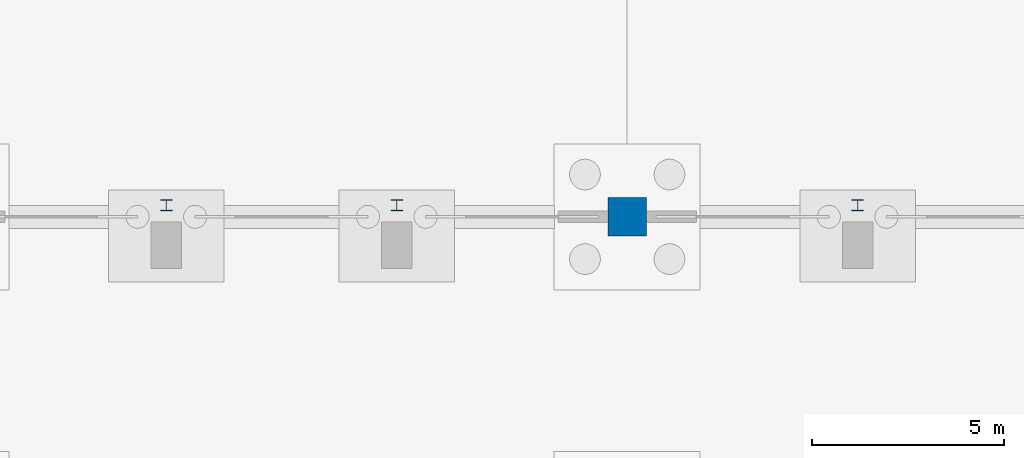
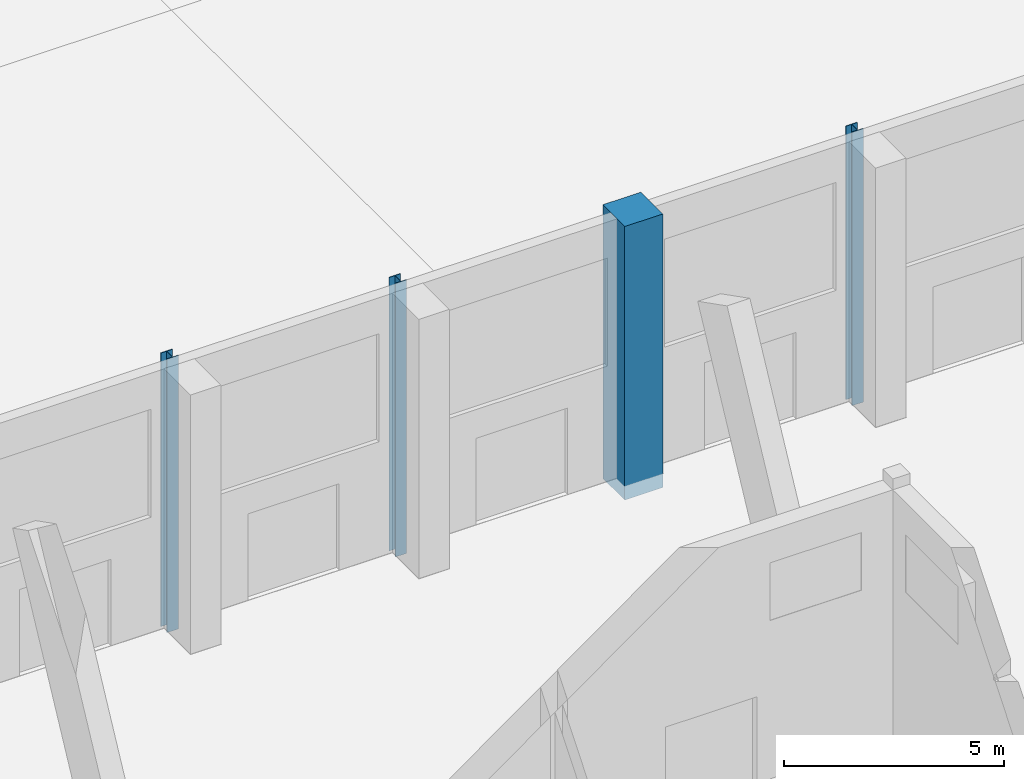
# One storey, part 32 of 239: 4 columns.
"""IFC4 building model written with IfcOpenShell, lengths in metres."""

from ifc_helpers import new_model, si_unit, direction, frame, origin, origin_2d, place, context, subcontext, project, spatial, rectangle, i_section, extrude, material, material_profile, profile_set, type_object, element, save


model = new_model("IFC4")

# Units and contexts
model_context = context("Model", 3, precision=1e-05, world=origin(), true_north=direction((0.0, 1.0)))
body_context = subcontext(model_context, "Body", "Model", "MODEL_VIEW")
ifc_project = project(units=[si_unit("LENGTHUNIT", "METRE"), si_unit("AREAUNIT", "SQUARE_METRE"), si_unit("VOLUMEUNIT", "CUBIC_METRE"), si_unit("PLANEANGLEUNIT", "RADIAN"), si_unit("MASSUNIT", "GRAM", prefix="KILO")], contexts=[model_context])

# Site, building, storey
site_placement = place(None, origin())
site = spatial("IfcSite", under=ifc_project, at=site_placement, CompositionType="ELEMENT")
building_placement = place(site_placement, origin())
building = spatial("IfcBuilding", under=site, at=building_placement, Name="Okhra Congress Centre", CompositionType="ELEMENT")
storey_placement = place(building_placement, origin())
storey = spatial("IfcBuildingStorey", under=building, at=storey_placement, Name="L00", CompositionType="ELEMENT", Elevation=0.0)

# Columns
ifc_material_1 = material(Name="Steel S355J2", Category="steel")
ifc_material_profile_1 = material_profile(ifc_material_1, i_section(OverallWidth=0.300048828125, OverallDepth=0.2900390625, WebThickness=0.008544921875, FlangeThickness=0.013916015625, at=origin_2d()), Name="HE 300 A")
ifc_profile_set_1 = profile_set([ifc_material_profile_1], Name="Steel S355J2")
column_type_1 = type_object("IfcColumnType", Name="HE 300 A", PredefinedType="COLUMN", material=ifc_profile_set_1)
for number, where, z_axis, x_axis, name in (
    (1, (106.0, 132.300048828125, -0.39990234375), (0.0, 0.0, 1.0), (1.0, 0.0, 0.0), "EH.COL.L00.WP9"),
    (2, (112.0, 132.300048828125, -0.39990234375), (0.0, 0.0, 1.0), (1.0, 0.0, 0.0), "EH.COL.L00.WP10"),
    (3, (124.0, 132.300048828125, -0.39990234375), (0.0, 0.0, 1.0), (1.0, 0.0, 0.0), "EH.COL.L00.WP11"),
):
    element("IfcColumn", number, at=place(storey_placement, frame(where, z_axis=z_axis, x_axis=x_axis)), inside=storey, type_object=column_type_1, Name=name, PredefinedType="COLUMN", context=body_context, shape_type="SweptSolid", body=[
        extrude(i_section(OverallWidth=0.300048828125, OverallDepth=0.2900390625, WebThickness=0.008544921875, FlangeThickness=0.013916015625, at=origin_2d()), origin(), (0.0, 0.0, 1.0), 7.599853515625),
    ])
ifc_material_2 = material(Name="Concrete C40/50", Category="concrete")
ifc_material_profile_2 = material_profile(ifc_material_2, rectangle(XDim=1.0, YDim=1.0, at=origin_2d()), Name="RC 1000x1000")
ifc_profile_set_2 = profile_set([ifc_material_profile_2], Name="Concrete C40/50")
column_type_2 = type_object("IfcColumnType", Name="RC column 1000x1000 C40/50", PredefinedType="COLUMN", material=ifc_profile_set_2)
column_placement = place(storey_placement, frame((118.0, 132.0, -0.39990234375), z_axis=(0.0, 0.0, 1.0), x_axis=(1.0, 0.0, 0.0)))
element("IfcColumn", 4, at=column_placement, inside=storey, type_object=column_type_2, Name="EH.COL.L00.SC11", PredefinedType="COLUMN", context=body_context, shape_type="SweptSolid", body=[
    extrude(rectangle(XDim=1.0, YDim=1.0, at=origin_2d()), origin(), (0.0, 0.0, 1.0), 7.599853515625),
])

save(model, "model.ifc")
